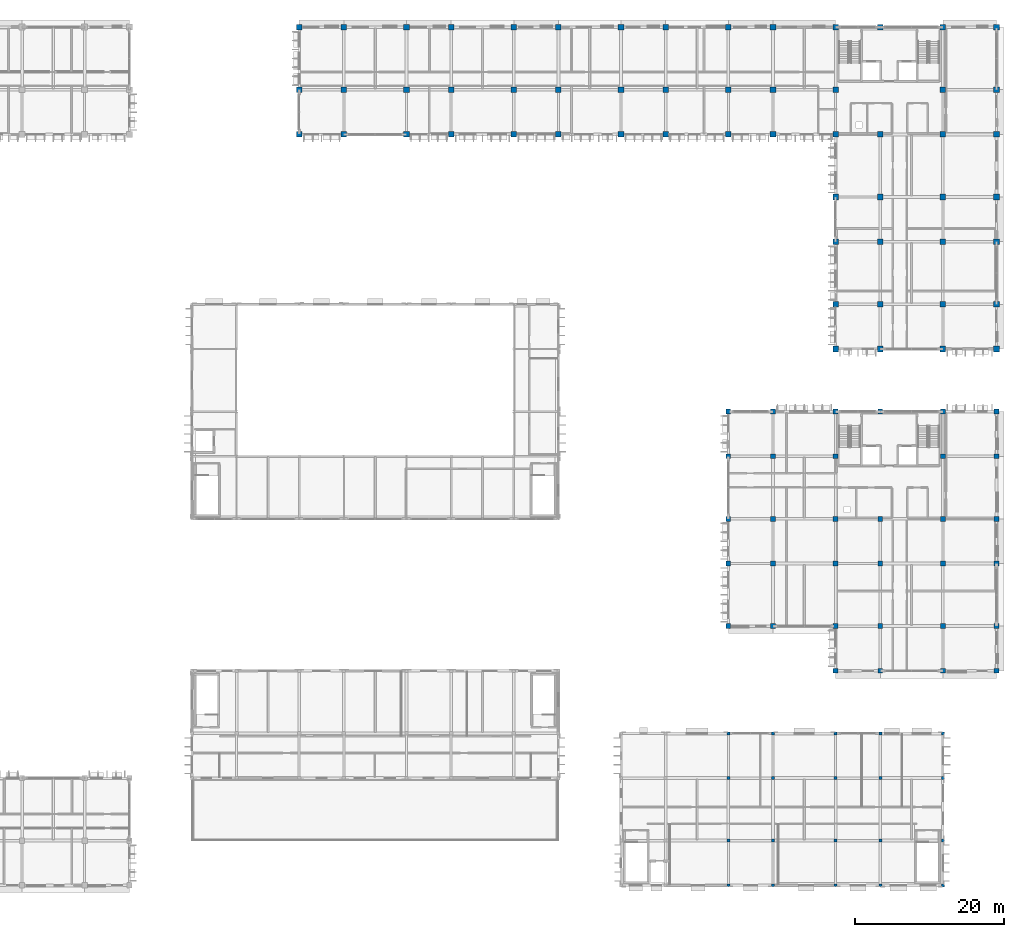
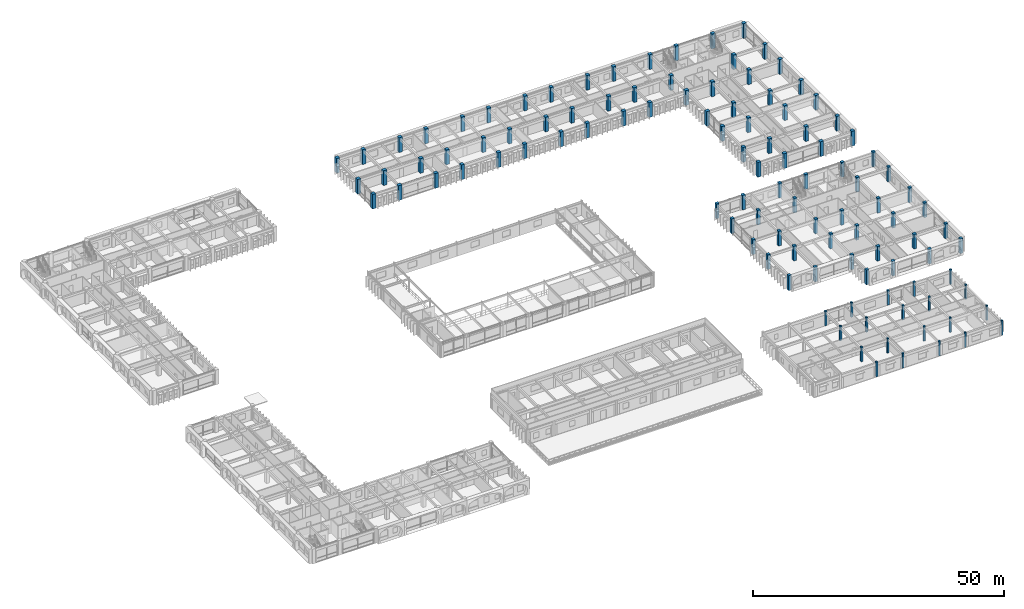
# One storey, part 11 of 88: 110 columns.
"""IFC4 building model written with IfcOpenShell, lengths in metres."""

import ifcopenshell
import ifcopenshell.guid

model = None  # the IFC model being written
_history = None  # IfcOwnerHistory: only IFC2X3 demands one
_inside = {}  # id of a spatial element -> (the spatial element, [elements in it])
_under = {}  # id of a project, library or spatial element -> (it, [spatial elements below it])
_declared = {}  # id of a project -> (the project, [libraries it declares])
_typed = {}  # id of a type object -> (the type object, [elements of that type])
_made_of = {}  # id of a material, layer set ... -> (it, [elements and type objects made of it])


def new_model(schema):
    """Start an empty IFC model of exactly this schema.

    Asked for "IFC4X3", IfcOpenShell would pick the latest addendum, in which some entities
    have other attributes; the version numbers below select the first issue.
    IFC2X3 requires an IfcOwnerHistory on every rooted entity: one is made here for all.
    """
    global model, _history
    if schema == "IFC4X3":
        model = ifcopenshell.file(schema_version=(4, 3, 0, 0))
    else:
        model = ifcopenshell.file(schema=schema)
    _inside.clear()
    _under.clear()
    _declared.clear()
    _typed.clear()
    _made_of.clear()
    _history = None
    if model.schema == "IFC2X3":
        org = make("IfcOrganization", Name="unknown")
        user = make(
            "IfcPersonAndOrganization",
            ThePerson=make("IfcPerson", FamilyName="unknown"),
            TheOrganization=org,
        )
        app = make(
            "IfcApplication",
            ApplicationDeveloper=org,
            Version="unknown",
            ApplicationFullName="unknown",
            ApplicationIdentifier="unknown",
        )
        _history = make(
            "IfcOwnerHistory",
            OwningUser=user,
            OwningApplication=app,
            ChangeAction="ADDED",
            CreationDate=0,
        )
    return model


def make(cls, **values):
    """One entity of the class cls with the attributes given. An attribute that is None is left unset."""
    return model.create_entity(
        cls, **{name: value for name, value in values.items() if value is not None}
    )


def rooted(cls, **values):
    """An entity with a GlobalId (a new one), such as an element, a storey or a relation."""
    return make(cls, GlobalId=ifcopenshell.guid.new(), OwnerHistory=_history, **values)


def si_unit(unit_type, name, prefix=None):
    """IfcSIUnit, for example si_unit("LENGTHUNIT", "METRE", prefix="MILLI")."""
    return make("IfcSIUnit", UnitType=unit_type, Prefix=prefix, Name=name)


def assignment(units):
    """IfcUnitAssignment: the units of a project."""
    return None if units is None else make("IfcUnitAssignment", Units=units)


def point(xyz):
    """IfcCartesianPoint."""
    return None if xyz is None else make("IfcCartesianPoint", Coordinates=xyz)


def direction(xyz):
    """IfcDirection."""
    return None if xyz is None else make("IfcDirection", DirectionRatios=xyz)


def frame(location, z_axis=None, x_axis=None):
    """IfcAxis2Placement3D, a coordinate frame: its origin and axes. An axis left out is left unset."""
    return make(
        "IfcAxis2Placement3D",
        Location=point(location),
        Axis=direction(z_axis),
        RefDirection=direction(x_axis),
    )


def frame_2d(location, x_axis=None):
    """IfcAxis2Placement2D, a coordinate frame in the plane: its origin and x axis."""
    return make(
        "IfcAxis2Placement2D", Location=point(location), RefDirection=direction(x_axis)
    )


def origin():
    """The frame at (0, 0, 0) with its axes left unset."""
    return frame((0.0, 0.0, 0.0))


def origin_2d():
    """The frame at (0, 0) in the plane with its x axis left unset."""
    return frame_2d((0.0, 0.0))


def place(relative_to, where):
    """IfcLocalPlacement: puts the frame where relative to a parent placement (None: the world)."""
    return make(
        "IfcLocalPlacement", PlacementRelTo=relative_to, RelativePlacement=where
    )


def context(
    kind, dimensions, precision=None, world=None, true_north=None, identifier=None
):
    """IfcGeometricRepresentationContext, for example the 3D "Model" context."""
    return make(
        "IfcGeometricRepresentationContext",
        ContextIdentifier=identifier,
        ContextType=kind,
        CoordinateSpaceDimension=dimensions,
        Precision=precision,
        WorldCoordinateSystem=world,
        TrueNorth=true_north,
    )


def subcontext(parent, identifier, kind, view, scale=None):
    """IfcGeometricRepresentationSubContext, for example "Body" below "Model"."""
    return make(
        "IfcGeometricRepresentationSubContext",
        ContextIdentifier=identifier,
        ContextType=kind,
        ParentContext=parent,
        TargetScale=scale,
        TargetView=view,
    )


def project(units=None, contexts=None):
    """IfcProject with its units and contexts."""
    return rooted(
        "IfcProject",
        Name="project",
        RepresentationContexts=contexts,
        UnitsInContext=assignment(units),
    )


def spatial(cls, under=None, at=None, **own):
    """A site, building, storey or space (cls), placed at a placement, below another one or the project."""
    s = rooted(cls, ObjectPlacement=at, **own)
    if under is not None:
        _under.setdefault(under.id(), (under, []))[1].append(s)
    return s


def profile(cls, at=None, kind="AREA", **sizes):
    """A parametric profile (cls). Its sizes go by their IFC names, for example OverallWidth=200.0."""
    return make(cls, ProfileType=kind, Position=at, **sizes)


def rectangle(**sizes):
    """IfcRectangleProfileDef."""
    return profile("IfcRectangleProfileDef", **sizes)


def extrude(swept, where, along, depth):
    """IfcExtrudedAreaSolid: the profile swept, set in the frame where, extruded along a direction by depth."""
    return make(
        "IfcExtrudedAreaSolid",
        SweptArea=swept,
        Position=where,
        ExtrudedDirection=direction(along),
        Depth=depth,
    )


def shape(context_of_items, identifier, shape_type, items):
    """IfcShapeRepresentation: the items that make up one representation, for example the "Body"."""
    return make(
        "IfcShapeRepresentation",
        ContextOfItems=context_of_items,
        RepresentationIdentifier=identifier,
        RepresentationType=shape_type,
        Items=items,
    )


def material(Name=None, Category=None):
    """IfcMaterial."""
    return make("IfcMaterial", Name=Name, Category=Category)


def material_profile(
    of_material, cross_section, Name=None, Category=None, Priority=None
):
    """IfcMaterialProfile: a cross section and its material."""
    return make(
        "IfcMaterialProfile",
        Name=Name,
        Material=of_material,
        Profile=cross_section,
        Priority=Priority,
        Category=Category,
    )


def profile_set(profiles, Name=None, composite=None):
    """IfcMaterialProfileSet."""
    return make(
        "IfcMaterialProfileSet",
        Name=Name,
        MaterialProfiles=profiles,
        CompositeProfile=composite,
    )


def made_of(thing, what):
    """Note that an element or type object is made of a material, layer set ...; save() writes the relation."""
    if what is not None:
        _made_of.setdefault(what.id(), (what, []))[1].append(thing)
    return thing


def type_object(cls, material=None, **own):
    """A type object (cls), such as IfcWallType, which elements share."""
    return made_of(rooted(cls, **own), material)


def element(
    cls,
    number,
    at=None,
    inside=None,
    cuts=None,
    type_object=None,
    material=None,
    context=None,
    identifier="Body",
    shape_type=None,
    held_by="IfcProductDefinitionShape",
    body=None,
    shapes=None,
    **own,
):
    """One element of the class cls, such as IfcWall. Its Tag is "e" and its number.

    at: its placement. inside: the storey or other place that contains it. cuts: it is an
    opening in that element (IfcRelVoidsElement). A single representation is given by context,
    identifier, shape_type and body (its items); several are given by shapes. held_by: the class
    of the entity that holds the representations. save() writes the other relations.
    """
    e = rooted(cls, Tag="e%d" % number, ObjectPlacement=at, **own)
    if body is not None:
        shapes = [shape(context, identifier, shape_type, body)]
    if shapes is not None:
        e.Representation = make(held_by, Representations=shapes)
    if inside is not None:
        _inside.setdefault(inside.id(), (inside, []))[1].append(e)
    if cuts is not None:
        rooted(
            "IfcRelVoidsElement", RelatingBuildingElement=cuts, RelatedOpeningElement=e
        )
    if type_object is not None:
        _typed.setdefault(type_object.id(), (type_object, []))[1].append(e)
    return made_of(e, material)


def aggregate(whole, parts):
    """IfcRelAggregates: a whole, such as a stair, and the parts it consists of."""
    return rooted("IfcRelAggregates", RelatingObject=whole, RelatedObjects=parts)


def save(model, path):
    """Write the relations noted so far, then the file.

    IfcRelAggregates (storeys below a building ...), IfcRelContainedInSpatialStructure (elements
    in a storey), IfcRelDefinesByType, IfcRelAssociatesMaterial and IfcRelDeclares: one each for
    every whole, place, type object, material and project.
    """
    for whole, parts in _under.values():
        aggregate(whole, parts)
    for where, things in _inside.values():
        rooted(
            "IfcRelContainedInSpatialStructure",
            RelatedElements=things,
            RelatingStructure=where,
        )
    for kind, things in _typed.values():
        rooted("IfcRelDefinesByType", RelatedObjects=things, RelatingType=kind)
    for what, things in _made_of.values():
        rooted("IfcRelAssociatesMaterial", RelatedObjects=things, RelatingMaterial=what)
    for by, libraries in _declared.values():
        rooted("IfcRelDeclares", RelatingContext=by, RelatedDefinitions=libraries)
    model.write(path)


model = new_model("IFC4")

# Units and contexts
model_context = context("Model", 3, precision=1e-05, world=origin(), true_north=direction((0.0, 1.0)))
body_context = subcontext(model_context, "Body", "Model", "MODEL_VIEW")
ifc_project = project(units=[si_unit("LENGTHUNIT", "METRE"), si_unit("AREAUNIT", "SQUARE_METRE"), si_unit("VOLUMEUNIT", "CUBIC_METRE"), si_unit("PLANEANGLEUNIT", "RADIAN"), si_unit("MASSUNIT", "GRAM", prefix="KILO"), si_unit("THERMODYNAMICTEMPERATUREUNIT", "KELVIN")], contexts=[model_context])

# Site, building, storey
site_placement = place(None, origin())
site = spatial("IfcSite", under=ifc_project, at=site_placement, CompositionType="ELEMENT")
building_placement = place(site_placement, origin())
building = spatial("IfcBuilding", under=site, at=building_placement, Name="Thalorik Housing Commons", CompositionType="ELEMENT")
storey_placement = place(building_placement, frame((0.0, 0.0, 4.5)))
storey = spatial("IfcBuildingStorey", under=building, at=storey_placement, Name="L01", CompositionType="ELEMENT", Elevation=4.5)

# Columns
ifc_material = material(Name="Precast concrete C40/50", Category="concrete")
ifc_material_profile_1 = material_profile(ifc_material, rectangle(XDim=0.39990234375, YDim=0.39990234375, at=origin_2d()), Name="PC 400x400", Category="concrete")
ifc_profile_set_1 = profile_set([ifc_material_profile_1], Name="Precast concrete C40/50")
column_type_1 = type_object("IfcColumnType", Name="STR-COL-PC400", PredefinedType="COLUMN", material=ifc_profile_set_1)
for number, where, z_axis, x_axis, name in (
    (1, (138.0, 8.39990234375, 0.0), (0.0, 0.0, 1.0), (1.0, 0.0, 0.0), "L01 Column C-400"),
    (2, (138.0, 14.39990234375, 0.0), (0.0, 0.0, 1.0), (1.0, 0.0, 0.0), "L01 Column C-400"),
    (3, (138.0, 22.800048828125, 0.0), (0.0, 0.0, 1.0), (1.0, 0.0, 0.0), "L01 Column C-400"),
    (4, (138.0, 28.800048828125, 0.0), (0.0, 0.0, 1.0), (1.0, 0.0, 0.0), "L01 Column C-400"),
    (5, (144.0, 8.39990234375, 0.0), (0.0, 0.0, 1.0), (1.0, 0.0, 0.0), "L01 Column C-400"),
    (6, (144.0, 14.39990234375, 0.0), (0.0, 0.0, 1.0), (1.0, 0.0, 0.0), "L01 Column C-400"),
    (7, (144.0, 22.800048828125, 0.0), (0.0, 0.0, 1.0), (1.0, 0.0, 0.0), "L01 Column C-400"),
    (8, (144.0, 28.800048828125, 0.0), (0.0, 0.0, 1.0), (1.0, 0.0, 0.0), "L01 Column C-400"),
    (9, (152.39990234375, 8.39990234375, 0.0), (0.0, 0.0, 1.0), (1.0, 0.0, 0.0), "L01 Column C-400"),
    (10, (152.39990234375, 14.39990234375, 0.0), (0.0, 0.0, 1.0), (1.0, 0.0, 0.0), "L01 Column C-400"),
    (11, (152.39990234375, 22.800048828125, 0.0), (0.0, 0.0, 1.0), (1.0, 0.0, 0.0), "L01 Column C-400"),
    (12, (152.39990234375, 28.800048828125, 0.0), (0.0, 0.0, 1.0), (1.0, 0.0, 0.0), "L01 Column C-400"),
    (13, (158.39990234375, 8.39990234375, 0.0), (0.0, 0.0, 1.0), (1.0, 0.0, 0.0), "L01 Column C-400"),
    (14, (158.39990234375, 14.39990234375, 0.0), (0.0, 0.0, 1.0), (1.0, 0.0, 0.0), "L01 Column C-400"),
    (15, (158.39990234375, 22.800048828125, 0.0), (0.0, 0.0, 1.0), (1.0, 0.0, 0.0), "L01 Column C-400"),
    (16, (158.39990234375, 28.800048828125, 0.0), (0.0, 0.0, 1.0), (1.0, 0.0, 0.0), "L01 Column C-400"),
    (17, (166.800048828125, 8.39990234375, 0.0), (0.0, 0.0, 1.0), (1.0, 0.0, 0.0), "L01 Column C-400"),
    (18, (166.800048828125, 14.39990234375, 0.0), (0.0, 0.0, 1.0), (1.0, 0.0, 0.0), "L01 Column C-400"),
    (19, (166.800048828125, 22.800048828125, 0.0), (0.0, 0.0, 1.0), (1.0, 0.0, 0.0), "L01 Column C-400"),
    (20, (166.800048828125, 28.800048828125, 0.0), (0.0, 0.0, 1.0), (1.0, 0.0, 0.0), "L01 Column C-400"),
):
    element("IfcColumn", number, at=place(storey_placement, frame(where, z_axis=z_axis, x_axis=x_axis)), inside=storey, type_object=column_type_1, Name=name, PredefinedType="COLUMN", context=body_context, shape_type="SweptSolid", body=[
        extrude(rectangle(XDim=0.39990234375, YDim=0.39990234375, at=origin_2d()), origin(), (0.0, 0.0, 1.0), 3.60009765625),
    ])
ifc_material_profile_2 = material_profile(ifc_material, rectangle(XDim=0.64990234375, YDim=0.64990234375, at=origin_2d()), Name="PC 650x650", Category="concrete")
ifc_profile_set_2 = profile_set([ifc_material_profile_2], Name="Precast concrete C40/50")
column_type_2 = type_object("IfcColumnType", Name="STR-COL-PC650", PredefinedType="COLUMN", material=ifc_profile_set_2)
for number, where, z_axis, x_axis, name in (
    (21, (138.0, 43.199951171875, 0.0), (0.0, 0.0, 1.0), (1.0, 0.0, 0.0), "L01 Column C-650"),
    (22, (138.0, 51.60009765625, 0.0), (0.0, 0.0, 1.0), (1.0, 0.0, 0.0), "L01 Column C-650"),
    (23, (138.0, 57.60009765625, 0.0), (0.0, 0.0, 1.0), (1.0, 0.0, 0.0), "L01 Column C-650"),
    (24, (138.0, 66.0, 0.0), (0.0, 0.0, 1.0), (1.0, 0.0, 0.0), "L01 Column C-650"),
    (25, (138.0, 72.0, 0.0), (0.0, 0.0, 1.0), (1.0, 0.0, 0.0), "L01 Column C-650"),
    (26, (144.0, 43.199951171875, 0.0), (0.0, 0.0, 1.0), (1.0, 0.0, 0.0), "L01 Column C-650"),
    (27, (144.0, 51.60009765625, 0.0), (0.0, 0.0, 1.0), (1.0, 0.0, 0.0), "L01 Column C-650"),
    (28, (144.0, 57.60009765625, 0.0), (0.0, 0.0, 1.0), (1.0, 0.0, 0.0), "L01 Column C-650"),
    (29, (144.0, 66.0, 0.0), (0.0, 0.0, 1.0), (1.0, 0.0, 0.0), "L01 Column C-650"),
    (30, (144.0, 72.0, 0.0), (0.0, 0.0, 1.0), (1.0, 0.0, 0.0), "L01 Column C-650"),
    (31, (152.39990234375, 37.199951171875, 0.0), (0.0, 0.0, 1.0), (1.0, 0.0, 0.0), "L01 Column C-650"),
    (32, (152.39990234375, 43.199951171875, 0.0), (0.0, 0.0, 1.0), (1.0, 0.0, 0.0), "L01 Column C-650"),
    (33, (152.39990234375, 51.60009765625, 0.0), (0.0, 0.0, 1.0), (1.0, 0.0, 0.0), "L01 Column C-650"),
    (34, (152.39990234375, 57.60009765625, 0.0), (0.0, 0.0, 1.0), (1.0, 0.0, 0.0), "L01 Column C-650"),
    (35, (152.39990234375, 66.0, 0.0), (0.0, 0.0, 1.0), (1.0, 0.0, 0.0), "L01 Column C-650"),
    (36, (152.39990234375, 72.0, 0.0), (0.0, 0.0, 1.0), (1.0, 0.0, 0.0), "L01 Column C-650"),
    (37, (158.39990234375, 37.199951171875, 0.0), (0.0, 0.0, 1.0), (1.0, 0.0, 0.0), "L01 Column C-650"),
    (38, (158.39990234375, 43.199951171875, 0.0), (0.0, 0.0, 1.0), (1.0, 0.0, 0.0), "L01 Column C-650"),
    (39, (158.39990234375, 51.60009765625, 0.0), (0.0, 0.0, 1.0), (1.0, 0.0, 0.0), "L01 Column C-650"),
    (40, (158.39990234375, 57.60009765625, 0.0), (0.0, 0.0, 1.0), (1.0, 0.0, 0.0), "L01 Column C-650"),
    (41, (158.39990234375, 72.0, 0.0), (0.0, 0.0, 1.0), (1.0, 0.0, 0.0), "L01 Column C-650"),
    (42, (166.800048828125, 37.199951171875, 0.0), (0.0, 0.0, 1.0), (1.0, 0.0, 0.0), "L01 Column C-650"),
    (43, (166.800048828125, 43.199951171875, 0.0), (0.0, 0.0, 1.0), (1.0, 0.0, 0.0), "L01 Column C-650"),
    (44, (166.800048828125, 51.60009765625, 0.0), (0.0, 0.0, 1.0), (1.0, 0.0, 0.0), "L01 Column C-650"),
    (45, (166.800048828125, 57.60009765625, 0.0), (0.0, 0.0, 1.0), (1.0, 0.0, 0.0), "L01 Column C-650"),
    (46, (166.800048828125, 66.0, 0.0), (0.0, 0.0, 1.0), (1.0, 0.0, 0.0), "L01 Column C-650"),
    (47, (166.800048828125, 72.0, 0.0), (0.0, 0.0, 1.0), (1.0, 0.0, 0.0), "L01 Column C-650"),
    (48, (174.0, 37.199951171875, 0.0), (0.0, 0.0, 1.0), (1.0, 0.0, 0.0), "L01 Column C-650"),
    (49, (174.0, 43.199951171875, 0.0), (0.0, 0.0, 1.0), (1.0, 0.0, 0.0), "L01 Column C-650"),
    (50, (174.0, 51.60009765625, 0.0), (0.0, 0.0, 1.0), (1.0, 0.0, 0.0), "L01 Column C-650"),
    (51, (174.0, 57.60009765625, 0.0), (0.0, 0.0, 1.0), (1.0, 0.0, 0.0), "L01 Column C-650"),
    (52, (174.0, 66.0, 0.0), (0.0, 0.0, 1.0), (1.0, 0.0, 0.0), "L01 Column C-650"),
    (53, (174.0, 72.0, 0.0), (0.0, 0.0, 1.0), (1.0, 0.0, 0.0), "L01 Column C-650"),
):
    element("IfcColumn", number, at=place(storey_placement, frame(where, z_axis=z_axis, x_axis=x_axis)), inside=storey, type_object=column_type_2, Name=name, PredefinedType="COLUMN", context=body_context, shape_type="SweptSolid", body=[
        extrude(rectangle(XDim=0.64990234375, YDim=0.64990234375, at=origin_2d()), origin(), (0.0, 0.0, 1.0), 3.60009765625),
    ])
ifc_material_profile_3 = material_profile(ifc_material, rectangle(XDim=0.75, YDim=0.75, at=origin_2d()), Name="PC 750x750", Category="concrete")
ifc_profile_set_3 = profile_set([ifc_material_profile_3], Name="Precast concrete C40/50")
column_type_3 = type_object("IfcColumnType", Name="STR-COL-PC750", PredefinedType="COLUMN", material=ifc_profile_set_3)
for number, where, z_axis, x_axis, name in (
    (54, (80.39990234375, 109.199951171875, 0.0), (0.0, 0.0, 1.0), (1.0, 0.0, 0.0), "L01 Column C-750"),
    (55, (80.39990234375, 115.199951171875, 0.0), (0.0, 0.0, 1.0), (1.0, 0.0, 0.0), "L01 Column C-750"),
    (56, (80.39990234375, 123.60009765625, 0.0), (0.0, 0.0, 1.0), (1.0, 0.0, 0.0), "L01 Column C-750"),
    (57, (86.39990234375, 109.199951171875, 0.0), (0.0, 0.0, 1.0), (1.0, 0.0, 0.0), "L01 Column C-750"),
    (58, (86.39990234375, 115.199951171875, 0.0), (0.0, 0.0, 1.0), (1.0, 0.0, 0.0), "L01 Column C-750"),
    (59, (86.39990234375, 123.60009765625, 0.0), (0.0, 0.0, 1.0), (1.0, 0.0, 0.0), "L01 Column C-750"),
    (60, (94.800048828125, 109.199951171875, 0.0), (0.0, 0.0, 1.0), (1.0, 0.0, 0.0), "L01 Column C-750"),
    (61, (94.800048828125, 115.199951171875, 0.0), (0.0, 0.0, 1.0), (1.0, 0.0, 0.0), "L01 Column C-750"),
    (62, (94.800048828125, 123.60009765625, 0.0), (0.0, 0.0, 1.0), (1.0, 0.0, 0.0), "L01 Column C-750"),
    (63, (100.800048828125, 109.199951171875, 0.0), (0.0, 0.0, 1.0), (1.0, 0.0, 0.0), "L01 Column C-750"),
    (64, (100.800048828125, 115.199951171875, 0.0), (0.0, 0.0, 1.0), (1.0, 0.0, 0.0), "L01 Column C-750"),
    (65, (100.800048828125, 123.60009765625, 0.0), (0.0, 0.0, 1.0), (1.0, 0.0, 0.0), "L01 Column C-750"),
    (66, (109.199951171875, 109.199951171875, 0.0), (0.0, 0.0, 1.0), (1.0, 0.0, 0.0), "L01 Column C-750"),
    (67, (109.199951171875, 115.199951171875, 0.0), (0.0, 0.0, 1.0), (1.0, 0.0, 0.0), "L01 Column C-750"),
    (68, (109.199951171875, 123.60009765625, 0.0), (0.0, 0.0, 1.0), (1.0, 0.0, 0.0), "L01 Column C-750"),
    (69, (115.199951171875, 109.199951171875, 0.0), (0.0, 0.0, 1.0), (1.0, 0.0, 0.0), "L01 Column C-750"),
    (70, (115.199951171875, 115.199951171875, 0.0), (0.0, 0.0, 1.0), (1.0, 0.0, 0.0), "L01 Column C-750"),
    (71, (115.199951171875, 123.60009765625, 0.0), (0.0, 0.0, 1.0), (1.0, 0.0, 0.0), "L01 Column C-750"),
    (72, (123.60009765625, 109.199951171875, 0.0), (0.0, 0.0, 1.0), (1.0, 0.0, 0.0), "L01 Column C-750"),
    (73, (123.60009765625, 115.199951171875, 0.0), (0.0, 0.0, 1.0), (1.0, 0.0, 0.0), "L01 Column C-750"),
    (74, (123.60009765625, 123.60009765625, 0.0), (0.0, 0.0, 1.0), (1.0, 0.0, 0.0), "L01 Column C-750"),
    (75, (129.60009765625, 109.199951171875, 0.0), (0.0, 0.0, 1.0), (1.0, 0.0, 0.0), "L01 Column C-750"),
    (76, (129.60009765625, 115.199951171875, 0.0), (0.0, 0.0, 1.0), (1.0, 0.0, 0.0), "L01 Column C-750"),
    (77, (129.60009765625, 123.60009765625, 0.0), (0.0, 0.0, 1.0), (1.0, 0.0, 0.0), "L01 Column C-750"),
    (78, (138.0, 109.199951171875, 0.0), (0.0, 0.0, 1.0), (1.0, 0.0, 0.0), "L01 Column C-750"),
    (79, (138.0, 115.199951171875, 0.0), (0.0, 0.0, 1.0), (1.0, 0.0, 0.0), "L01 Column C-750"),
    (80, (138.0, 123.60009765625, 0.0), (0.0, 0.0, 1.0), (1.0, 0.0, 0.0), "L01 Column C-750"),
    (81, (144.0, 109.199951171875, 0.0), (0.0, 0.0, 1.0), (1.0, 0.0, 0.0), "L01 Column C-750"),
    (82, (144.0, 115.199951171875, 0.0), (0.0, 0.0, 1.0), (1.0, 0.0, 0.0), "L01 Column C-750"),
    (83, (144.0, 123.60009765625, 0.0), (0.0, 0.0, 1.0), (1.0, 0.0, 0.0), "L01 Column C-750"),
    (84, (152.39990234375, 80.39990234375, 0.0), (0.0, 0.0, 1.0), (1.0, 0.0, 0.0), "L01 Column C-750"),
    (85, (152.39990234375, 86.39990234375, 0.0), (0.0, 0.0, 1.0), (1.0, 0.0, 0.0), "L01 Column C-750"),
    (86, (152.39990234375, 94.800048828125, 0.0), (0.0, 0.0, 1.0), (1.0, 0.0, 0.0), "L01 Column C-750"),
    (87, (152.39990234375, 100.800048828125, 0.0), (0.0, 0.0, 1.0), (1.0, 0.0, 0.0), "L01 Column C-750"),
    (88, (152.39990234375, 109.199951171875, 0.0), (0.0, 0.0, 1.0), (1.0, 0.0, 0.0), "L01 Column C-750"),
    (89, (152.39990234375, 115.199951171875, 0.0), (0.0, 0.0, 1.0), (1.0, 0.0, 0.0), "L01 Column C-750"),
    (90, (152.39990234375, 123.60009765625, 0.0), (0.0, 0.0, 1.0), (1.0, 0.0, 0.0), "L01 Column C-750"),
    (91, (158.39990234375, 80.39990234375, 0.0), (0.0, 0.0, 1.0), (1.0, 0.0, 0.0), "L01 Column C-750"),
    (92, (158.39990234375, 86.39990234375, 0.0), (0.0, 0.0, 1.0), (1.0, 0.0, 0.0), "L01 Column C-750"),
    (93, (158.39990234375, 94.800048828125, 0.0), (0.0, 0.0, 1.0), (1.0, 0.0, 0.0), "L01 Column C-750"),
    (94, (158.39990234375, 100.800048828125, 0.0), (0.0, 0.0, 1.0), (1.0, 0.0, 0.0), "L01 Column C-750"),
    (95, (158.39990234375, 109.199951171875, 0.0), (0.0, 0.0, 1.0), (1.0, 0.0, 0.0), "L01 Column C-750"),
    (96, (158.39990234375, 123.60009765625, 0.0), (0.0, 0.0, 1.0), (1.0, 0.0, 0.0), "L01 Column C-750"),
    (97, (166.800048828125, 80.39990234375, 0.0), (0.0, 0.0, 1.0), (1.0, 0.0, 0.0), "L01 Column C-750"),
    (98, (166.800048828125, 86.39990234375, 0.0), (0.0, 0.0, 1.0), (1.0, 0.0, 0.0), "L01 Column C-750"),
    (99, (166.800048828125, 94.800048828125, 0.0), (0.0, 0.0, 1.0), (1.0, 0.0, 0.0), "L01 Column C-750"),
    (100, (166.800048828125, 100.800048828125, 0.0), (0.0, 0.0, 1.0), (1.0, 0.0, 0.0), "L01 Column C-750"),
    (101, (166.800048828125, 109.199951171875, 0.0), (0.0, 0.0, 1.0), (1.0, 0.0, 0.0), "L01 Column C-750"),
    (102, (166.800048828125, 115.199951171875, 0.0), (0.0, 0.0, 1.0), (1.0, 0.0, 0.0), "L01 Column C-750"),
    (103, (166.800048828125, 123.60009765625, 0.0), (0.0, 0.0, 1.0), (1.0, 0.0, 0.0), "L01 Column C-750"),
    (104, (174.0, 80.39990234375, 0.0), (0.0, 0.0, 1.0), (1.0, 0.0, 0.0), "L01 Column C-750"),
    (105, (174.0, 86.39990234375, 0.0), (0.0, 0.0, 1.0), (1.0, 0.0, 0.0), "L01 Column C-750"),
    (106, (174.0, 94.800048828125, 0.0), (0.0, 0.0, 1.0), (1.0, 0.0, 0.0), "L01 Column C-750"),
    (107, (174.0, 100.800048828125, 0.0), (0.0, 0.0, 1.0), (1.0, 0.0, 0.0), "L01 Column C-750"),
    (108, (174.0, 109.199951171875, 0.0), (0.0, 0.0, 1.0), (1.0, 0.0, 0.0), "L01 Column C-750"),
    (109, (174.0, 115.199951171875, 0.0), (0.0, 0.0, 1.0), (1.0, 0.0, 0.0), "L01 Column C-750"),
    (110, (174.0, 123.60009765625, 0.0), (0.0, 0.0, 1.0), (1.0, 0.0, 0.0), "L01 Column C-750"),
):
    element("IfcColumn", number, at=place(storey_placement, frame(where, z_axis=z_axis, x_axis=x_axis)), inside=storey, type_object=column_type_3, Name=name, PredefinedType="COLUMN", context=body_context, shape_type="SweptSolid", body=[
        extrude(rectangle(XDim=0.75, YDim=0.75, at=origin_2d()), origin(), (0.0, 0.0, 1.0), 3.60009765625),
    ])

save(model, "model.ifc")
